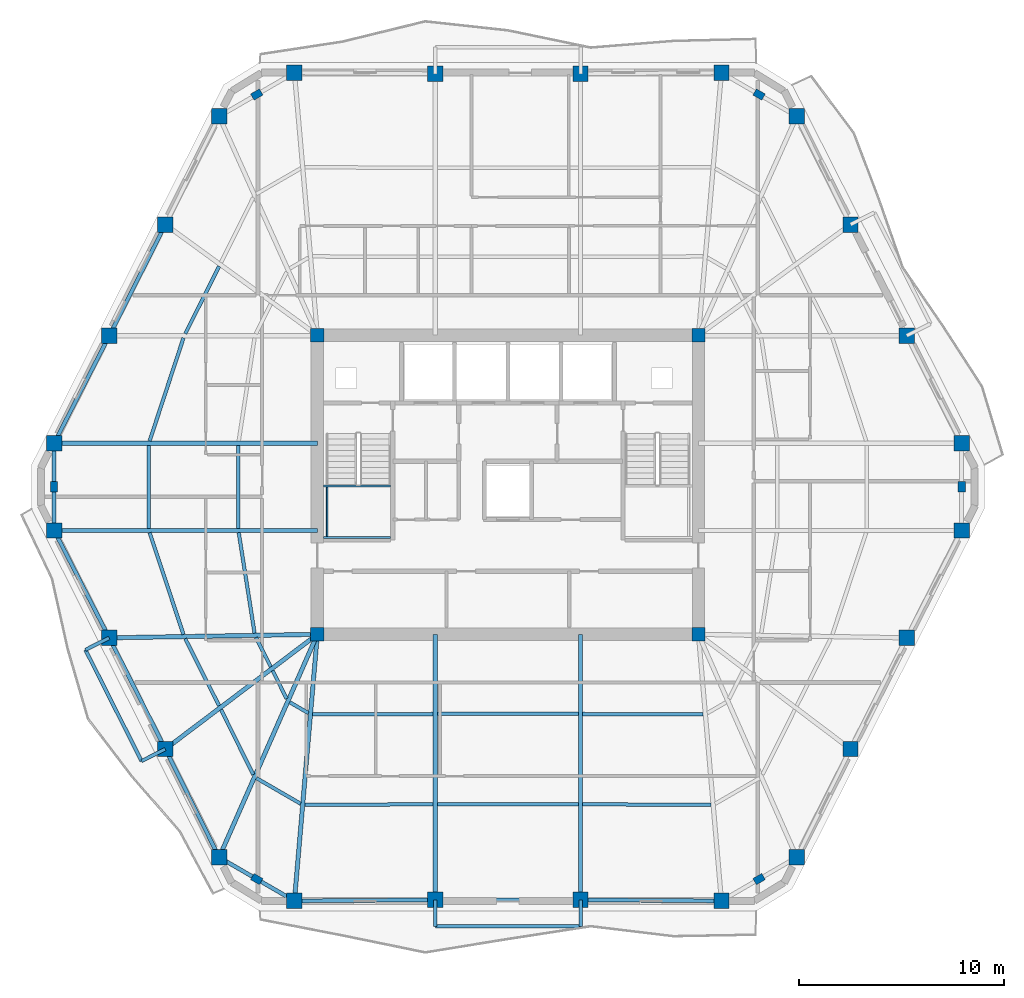
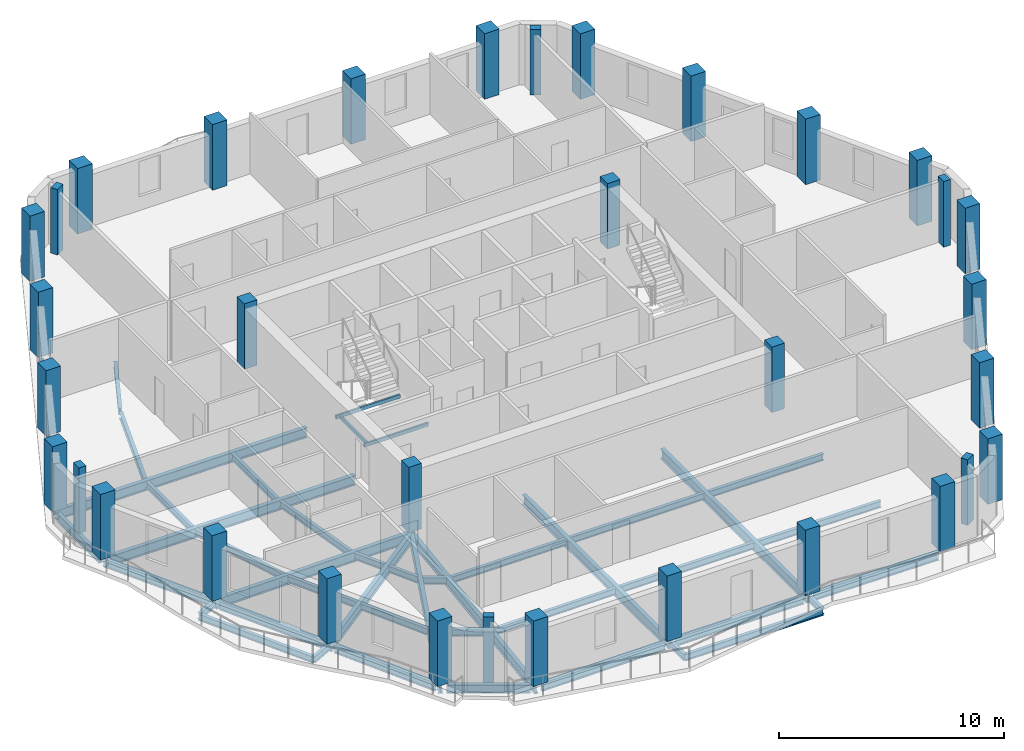
# One storey, part 1 of 10: 45 beams, 34 columns.
"""IFC4 building model written with IfcOpenShell, lengths in metres."""

from ifc_helpers import new_model, si_unit, direction, frame, origin, origin_2d, place, context, subcontext, project, spatial, rectangle, hollow_rectangle, i_section, extrude, material, material_profile, profile_set, type_object, element, save


model = new_model("IFC4")

# Units and contexts
model_context = context("Model", 3, precision=1e-05, world=origin(), true_north=direction((0.0, 1.0)))
body_context = subcontext(model_context, "Body", "Model", "MODEL_VIEW")
ifc_project = project(units=[si_unit("LENGTHUNIT", "METRE"), si_unit("AREAUNIT", "SQUARE_METRE"), si_unit("VOLUMEUNIT", "CUBIC_METRE"), si_unit("PLANEANGLEUNIT", "RADIAN"), si_unit("MASSUNIT", "GRAM", prefix="KILO")], contexts=[model_context])

# Site, building, storey
site_placement = place(None, origin())
site = spatial("IfcSite", under=ifc_project, at=site_placement, CompositionType="ELEMENT")
building_placement = place(site_placement, origin())
building = spatial("IfcBuilding", under=site, at=building_placement, Name="Cinnabar Lancet Tower", CompositionType="ELEMENT")
storey_placement = place(building_placement, frame((0.0, 0.0, 218.050048828125)))
storey = spatial("IfcBuildingStorey", under=building, at=storey_placement, Name="L58", CompositionType="ELEMENT", Elevation=218.050048828125)

# Columns
ifc_material_1 = material(Name="Concrete C60/75", Category="concrete")
ifc_material_profile_1 = material_profile(ifc_material_1, rectangle(XDim=0.64990234375, YDim=0.64990234375, at=origin_2d()), Name="RC-COL 650x650")
ifc_profile_set_1 = profile_set([ifc_material_profile_1], Name="Concrete C60/75")
column_type_1 = type_object("IfcColumnType", Name="STR-COL-CORE-650", PredefinedType="COLUMN", material=ifc_profile_set_1)
for number, where, z_axis, x_axis, name in (
    (1, (23.10009765625, 18.60009765625, 0.0), (0.0, 0.0, 1.0), (1.0, 0.0, 0.0), "L58 Core Corner Column SW"),
    (2, (41.699951171875, 18.60009765625, 0.0), (0.0, 0.0, 1.0), (1.0, 0.0, 0.0), "L58 Core Corner Column SE"),
    (3, (41.699951171875, 33.199951171875, 0.0), (0.0, 0.0, 1.0), (1.0, 0.0, 0.0), "L58 Core Corner Column NE"),
    (4, (23.10009765625, 33.199951171875, 0.0), (0.0, 0.0, 1.0), (1.0, 0.0, 0.0), "L58 Core Corner Column NW"),
):
    element("IfcColumn", number, at=place(storey_placement, frame(where, z_axis=z_axis, x_axis=x_axis)), inside=storey, type_object=column_type_1, Name=name, PredefinedType="COLUMN", context=body_context, shape_type="SweptSolid", body=[
        extrude(rectangle(XDim=0.64990234375, YDim=0.64990234375, at=origin_2d()), origin(), (0.0, 0.0, 1.0), 3.550048828125),
    ])
ifc_material_2 = material(Name="Concrete C60/75", Category="concrete")
ifc_material_profile_2 = material_profile(ifc_material_2, rectangle(XDim=0.5, YDim=0.35009765625, at=origin_2d()), Name="RC-PIL 500x350")
ifc_profile_set_2 = profile_set([ifc_material_profile_2], Name="Concrete C60/75")
column_type_2 = type_object("IfcColumnType", Name="STR-COL-PIL-500", PredefinedType="PILASTER", material=ifc_profile_set_2)
for number, where, z_axis, x_axis, name in (
    (5, (20.14208984375, 6.654052734375, 0.0), (0.0, 0.0, 1.0), (0.865230187018, -0.501374833306, 0.0), "L58 Chamfered Corner Pilaster 1"),
    (6, (44.657958984375, 6.654052734375, 0.0), (0.0, 0.0, 1.0), (0.865230187018, 0.501374833306, 0.0), "L58 Chamfered Corner Pilaster 2"),
    (7, (54.547119140625, 25.800048828125, 0.0), (0.0, 0.0, 1.0), (0.0, 1.0, 0.0), "L58 Chamfered Corner Pilaster 3"),
    (8, (44.657958984375, 44.947021484375, 0.0), (0.0, 0.0, 1.0), (-0.865230187018, 0.501374833306, 0.0), "L58 Chamfered Corner Pilaster 4"),
    (9, (20.14208984375, 44.947021484375, 0.0), (0.0, 0.0, 1.0), (-0.865230187018, -0.501374833306, 0.0), "L58 Chamfered Corner Pilaster 5"),
    (10, (10.2529296875, 25.800048828125, 0.0), (0.0, 0.0, 1.0), (0.0, -1.0, 0.0), "L58 Chamfered Corner Pilaster 6"),
):
    element("IfcColumn", number, at=place(storey_placement, frame(where, z_axis=z_axis, x_axis=x_axis)), inside=storey, type_object=column_type_2, Name=name, PredefinedType="PILASTER", context=body_context, shape_type="SweptSolid", body=[
        extrude(rectangle(XDim=0.5, YDim=0.35009765625, at=origin_2d()), origin(), (0.0, 0.0, 1.0), 3.550048828125),
    ])
ifc_material_3 = material(Name="Concrete C50/60", Category="concrete")
ifc_material_profile_3 = material_profile(ifc_material_3, rectangle(XDim=0.75, YDim=0.75, at=origin_2d()), Name="RC-COL 750x750")
ifc_profile_set_3 = profile_set([ifc_material_profile_3], Name="Concrete C50/60")
column_type_3 = type_object("IfcColumnType", Name="STR-COL-TUBE-750", PredefinedType="COLUMN", material=ifc_profile_set_3)
for number, where, z_axis, x_axis, name in (
    (11, (21.97900390625, 5.589111328125, 0.0), (0.0, 0.0, 1.0), (1.0, 0.0, 0.0), "L58 Perimeter Tube Column 1"),
    (12, (28.85693359375, 5.64208984375, 0.0), (0.0, 0.0, 1.0), (1.0, 0.0, 0.0), "L58 Perimeter Tube Column 2"),
    (13, (35.943115234375, 5.64208984375, 0.0), (0.0, 0.0, 1.0), (1.0, 0.0, 0.0), "L58 Perimeter Tube Column 3"),
    (14, (42.821044921875, 5.589111328125, 0.0), (0.0, 0.0, 1.0), (1.0, 0.0, 0.0), "L58 Perimeter Tube Column 4"),
    (15, (46.4951171875, 7.718017578125, 0.0), (0.0, 0.0, 1.0), (1.0, 0.0, 0.0), "L58 Perimeter Tube Column 5"),
    (16, (49.118896484375, 13.0009765625, 0.0), (0.0, 0.0, 1.0), (1.0, 0.0, 0.0), "L58 Perimeter Tube Column 6"),
    (17, (51.85791015625, 18.428955078125, 0.0), (0.0, 0.0, 1.0), (1.0, 0.0, 0.0), "L58 Perimeter Tube Column 7"),
    (18, (54.547119140625, 23.66796875, 0.0), (0.0, 0.0, 1.0), (1.0, 0.0, 0.0), "L58 Perimeter Tube Column 8"),
    (19, (54.547119140625, 27.931884765625, 0.0), (0.0, 0.0, 1.0), (1.0, 0.0, 0.0), "L58 Perimeter Tube Column 9"),
    (20, (51.85791015625, 33.1708984375, 0.0), (0.0, 0.0, 1.0), (1.0, 0.0, 0.0), "L58 Perimeter Tube Column 10"),
    (21, (49.118896484375, 38.59912109375, 0.0), (0.0, 0.0, 1.0), (1.0, 0.0, 0.0), "L58 Perimeter Tube Column 11"),
    (22, (46.4951171875, 43.882080078125, 0.0), (0.0, 0.0, 1.0), (1.0, 0.0, 0.0), "L58 Perimeter Tube Column 12"),
    (23, (42.821044921875, 46.010986328125, 0.0), (0.0, 0.0, 1.0), (1.0, 0.0, 0.0), "L58 Perimeter Tube Column 13"),
    (24, (35.943115234375, 45.9580078125, 0.0), (0.0, 0.0, 1.0), (1.0, 0.0, 0.0), "L58 Perimeter Tube Column 14"),
    (25, (28.85693359375, 45.9580078125, 0.0), (0.0, 0.0, 1.0), (1.0, 0.0, 0.0), "L58 Perimeter Tube Column 15"),
    (26, (21.97900390625, 46.010986328125, 0.0), (0.0, 0.0, 1.0), (1.0, 0.0, 0.0), "L58 Perimeter Tube Column 16"),
    (27, (18.304931640625, 43.882080078125, 0.0), (0.0, 0.0, 1.0), (1.0, 0.0, 0.0), "L58 Perimeter Tube Column 17"),
    (28, (15.680908203125, 38.59912109375, 0.0), (0.0, 0.0, 1.0), (1.0, 0.0, 0.0), "L58 Perimeter Tube Column 18"),
    (29, (12.94189453125, 33.1708984375, 0.0), (0.0, 0.0, 1.0), (1.0, 0.0, 0.0), "L58 Perimeter Tube Column 19"),
    (30, (10.2529296875, 27.931884765625, 0.0), (0.0, 0.0, 1.0), (1.0, 0.0, 0.0), "L58 Perimeter Tube Column 20"),
    (31, (10.2529296875, 23.66796875, 0.0), (0.0, 0.0, 1.0), (1.0, 0.0, 0.0), "L58 Perimeter Tube Column 21"),
    (32, (12.94189453125, 18.428955078125, 0.0), (0.0, 0.0, 1.0), (1.0, 0.0, 0.0), "L58 Perimeter Tube Column 22"),
    (33, (15.680908203125, 13.0009765625, 0.0), (0.0, 0.0, 1.0), (1.0, 0.0, 0.0), "L58 Perimeter Tube Column 23"),
    (34, (18.304931640625, 7.718017578125, 0.0), (0.0, 0.0, 1.0), (1.0, 0.0, 0.0), "L58 Perimeter Tube Column 24"),
):
    element("IfcColumn", number, at=place(storey_placement, frame(where, z_axis=z_axis, x_axis=x_axis)), inside=storey, type_object=column_type_3, Name=name, PredefinedType="COLUMN", context=body_context, shape_type="SweptSolid", body=[
        extrude(rectangle(XDim=0.75, YDim=0.75, at=origin_2d()), origin(), (0.0, 0.0, 1.0), 3.550048828125),
    ])

# Beams
ifc_material_4 = material(Name="Structural steel S355", Category="steel")
ifc_material_profile_4 = material_profile(ifc_material_4, i_section(OverallWidth=0.17138671875, OverallDepth=0.35498046875, WebThickness=0.00732421875, FlangeThickness=0.011474609375, FilletRadius=0.01025390625, at=origin_2d()), Name="UKB 356x171x51")
ifc_profile_set_4 = profile_set([ifc_material_profile_4], Name="Structural steel S355")
beam_type_1 = type_object("IfcBeamType", Name="STR-BM-JST-356", PredefinedType="JOIST", material=ifc_profile_set_4)
beam_1_placement = place(storey_placement, frame((14.9130859375, 23.56298828125, -0.3779296875), z_axis=(0.315346227037, -0.948976689436, 0.0), x_axis=(0.948976689436, 0.315346227037, 0.0)))
element("IfcBeam", 35, at=beam_1_placement, inside=storey, type_object=beam_type_1, Name="L58 Secondary Floor Joist 1", PredefinedType="JOIST", context=body_context, shape_type="SweptSolid", body=[
    extrude(i_section(OverallWidth=0.17138671875, OverallDepth=0.35498046875, WebThickness=0.00732421875, FlangeThickness=0.011474609375, FilletRadius=0.01025390625, at=origin_2d()), origin(), (0.0, 0.0, 1.0), 5.235107421875),
])
beam_2_placement = place(storey_placement, frame((19.261962890625, 23.56298828125, -0.3779296875), z_axis=(0.155702775827, -0.987803950994, 0.0), x_axis=(0.987803950994, 0.155702775827, 0.0)))
element("IfcBeam", 36, at=beam_2_placement, inside=storey, type_object=beam_type_1, Name="L58 Secondary Floor Joist 2", PredefinedType="JOIST", context=body_context, shape_type="SweptSolid", body=[
    extrude(i_section(OverallWidth=0.17138671875, OverallDepth=0.35498046875, WebThickness=0.00732421875, FlangeThickness=0.011474609375, FilletRadius=0.01025390625, at=origin_2d()), origin(), (0.0, 0.0, 1.0), 4.970458984375),
])
beam_3_placement = place(storey_placement, frame((16.65087890625, 18.386962890625, -0.3779296875), z_axis=(0.45061776862, -0.892716991327, 0.0), x_axis=(0.892716991327, 0.45061776862, 0.0)))
element("IfcBeam", 37, at=beam_3_placement, inside=storey, type_object=beam_type_1, Name="L58 Secondary Floor Joist 3", PredefinedType="JOIST", context=body_context, shape_type="SweptSolid", body=[
    extrude(i_section(OverallWidth=0.17138671875, OverallDepth=0.35498046875, WebThickness=0.00732421875, FlangeThickness=0.011474609375, FilletRadius=0.01025390625, at=origin_2d()), origin(), (0.0, 0.0, 1.0), 3.66845703125),
])
beam_4_placement = place(storey_placement, frame((20.10498046875, 18.445068359375, -0.3779296875), z_axis=(0.450137936259, -0.892959035085, 0.0), x_axis=(0.892959035085, 0.450137936259, 0.0)))
element("IfcBeam", 38, at=beam_4_placement, inside=storey, type_object=beam_type_1, Name="L58 Secondary Floor Joist 4", PredefinedType="JOIST", context=body_context, shape_type="SweptSolid", body=[
    extrude(i_section(OverallWidth=0.17138671875, OverallDepth=0.35498046875, WebThickness=0.00732421875, FlangeThickness=0.011474609375, FilletRadius=0.01025390625, at=origin_2d()), origin(), (0.0, 0.0, 1.0), 1.6015625),
])
beam_5_placement = place(storey_placement, frame((18.39892578125, 14.9208984375, -0.3779296875), z_axis=(0.445083338565, -0.895489152214, 0.0), x_axis=(0.895489152214, 0.445083338565, 0.0)))
element("IfcBeam", 39, at=beam_5_placement, inside=storey, type_object=beam_type_1, Name="L58 Secondary Floor Joist 5", PredefinedType="JOIST", context=body_context, shape_type="SweptSolid", body=[
    extrude(i_section(OverallWidth=0.17138671875, OverallDepth=0.35498046875, WebThickness=0.00732421875, FlangeThickness=0.011474609375, FilletRadius=0.01025390625, at=origin_2d()), origin(), (0.0, 0.0, 1.0), 3.531982421875),
])
beam_6_placement = place(storey_placement, frame((20.922119140625, 16.824951171875, -0.3779296875), z_axis=(0.444589856968, -0.895734256954, 0.0), x_axis=(0.895734256954, 0.444589856968, 0.0)))
element("IfcBeam", 40, at=beam_6_placement, inside=storey, type_object=beam_type_1, Name="L58 Secondary Floor Joist 6", PredefinedType="JOIST", context=body_context, shape_type="SweptSolid", body=[
    extrude(i_section(OverallWidth=0.17138671875, OverallDepth=0.35498046875, WebThickness=0.00732421875, FlangeThickness=0.011474609375, FilletRadius=0.01025390625, at=origin_2d()), origin(), (0.0, 0.0, 1.0), 1.527099609375),
])
beam_7_placement = place(storey_placement, frame((20.1220703125, 11.5830078125, -0.3779296875), z_axis=(0.865267839663, -0.501309849937, 0.0), x_axis=(0.501309849937, 0.865267839663, 0.0)))
element("IfcBeam", 41, at=beam_7_placement, inside=storey, type_object=beam_type_1, Name="L58 Secondary Floor Joist 7", PredefinedType="JOIST", context=body_context, shape_type="SweptSolid", body=[
    extrude(i_section(OverallWidth=0.17138671875, OverallDepth=0.35498046875, WebThickness=0.00732421875, FlangeThickness=0.011474609375, FilletRadius=0.01025390625, at=origin_2d()), origin(), (0.0, 0.0, 1.0), 2.497314453125),
])
beam_8_placement = place(storey_placement, frame((21.7529296875, 15.282958984375, -0.3779296875), z_axis=(0.8651881055, -0.501447446998, 0.0), x_axis=(0.501447446998, 0.8651881055, 0.0)))
element("IfcBeam", 42, at=beam_8_placement, inside=storey, type_object=beam_type_1, Name="L58 Secondary Floor Joist 8", PredefinedType="JOIST", context=body_context, shape_type="SweptSolid", body=[
    extrude(i_section(OverallWidth=0.17138671875, OverallDepth=0.35498046875, WebThickness=0.00732421875, FlangeThickness=0.011474609375, FilletRadius=0.01025390625, at=origin_2d()), origin(), (0.0, 0.0, 1.0), 1.05322265625),
])
beam_9_placement = place(storey_placement, frame((22.488037109375, 10.27392578125, -0.3779296875), z_axis=(0.999986965561, 0.005105752523, 0.0), x_axis=(-0.005105752523, 0.999986965561, 0.0)))
element("IfcBeam", 43, at=beam_9_placement, inside=storey, type_object=beam_type_1, Name="L58 Secondary Floor Joist 9", PredefinedType="JOIST", context=body_context, shape_type="SweptSolid", body=[
    extrude(i_section(OverallWidth=0.17138671875, OverallDepth=0.35498046875, WebThickness=0.00732421875, FlangeThickness=0.011474609375, FilletRadius=0.01025390625, at=origin_2d()), origin(), (0.0, 0.0, 1.0), 6.263916015625),
])
beam_10_placement = place(storey_placement, frame((22.868896484375, 14.697021484375, -0.3779296875), z_axis=(0.999996795933, 0.002531427338, 0.0), x_axis=(-0.002531427338, 0.999996795933, 0.0)))
element("IfcBeam", 44, at=beam_10_placement, inside=storey, type_object=beam_type_1, Name="L58 Secondary Floor Joist 10", PredefinedType="JOIST", context=body_context, shape_type="SweptSolid", body=[
    extrude(i_section(OverallWidth=0.17138671875, OverallDepth=0.35498046875, WebThickness=0.00732421875, FlangeThickness=0.011474609375, FilletRadius=0.01025390625, at=origin_2d()), origin(), (0.0, 0.0, 1.0), 5.883056640625),
])
for number, where, z_axis, x_axis, name in (
    (45, (28.9619140625, 10.306884765625, -0.3779296875), (1.0, 0.0, 0.0), (0.0, 1.0, 0.0), "L58 Secondary Floor Joist 11"),
    (46, (28.9619140625, 14.712890625, -0.3779296875), (1.0, 0.0, 0.0), (0.0, 1.0, 0.0), "L58 Secondary Floor Joist 12"),
):
    element("IfcBeam", number, at=place(storey_placement, frame(where, z_axis=z_axis, x_axis=x_axis)), inside=storey, type_object=beam_type_1, Name=name, PredefinedType="JOIST", context=body_context, shape_type="SweptSolid", body=[
        extrude(i_section(OverallWidth=0.17138671875, OverallDepth=0.35498046875, WebThickness=0.00732421875, FlangeThickness=0.011474609375, FilletRadius=0.01025390625, at=origin_2d()), origin(), (0.0, 0.0, 1.0), 6.8759765625),
    ])
beam_11_placement = place(storey_placement, frame((36.048095703125, 10.305908203125, -0.3779296875), z_axis=(0.999986965561, -0.005105752523, 0.0), x_axis=(0.005105752523, 0.999986965561, 0.0)))
element("IfcBeam", 47, at=beam_11_placement, inside=storey, type_object=beam_type_1, Name="L58 Secondary Floor Joist 13", PredefinedType="JOIST", context=body_context, shape_type="SweptSolid", body=[
    extrude(i_section(OverallWidth=0.17138671875, OverallDepth=0.35498046875, WebThickness=0.00732421875, FlangeThickness=0.011474609375, FilletRadius=0.01025390625, at=origin_2d()), origin(), (0.0, 0.0, 1.0), 6.263916015625),
])
beam_12_placement = place(storey_placement, frame((36.048095703125, 14.7119140625, -0.3779296875), z_axis=(0.999996795667, -0.002531532393, 0.0), x_axis=(0.002531532393, 0.999996795667, 0.0)))
element("IfcBeam", 48, at=beam_12_placement, inside=storey, type_object=beam_type_1, Name="L58 Secondary Floor Joist 14", PredefinedType="JOIST", context=body_context, shape_type="SweptSolid", body=[
    extrude(i_section(OverallWidth=0.17138671875, OverallDepth=0.35498046875, WebThickness=0.00732421875, FlangeThickness=0.011474609375, FilletRadius=0.01025390625, at=origin_2d()), origin(), (0.0, 0.0, 1.0), 5.8828125),
])
beam_13_placement = place(storey_placement, frame((18.303955078125, 36.56103515625, -0.3779296875), z_axis=(-0.449230875134, -0.893415704376, 0.0), x_axis=(0.893415704376, -0.449230875134, 0.0)))
element("IfcBeam", 49, at=beam_13_placement, inside=storey, type_object=beam_type_1, Name="L58 Secondary Floor Joist 43", PredefinedType="JOIST", context=body_context, shape_type="SweptSolid", body=[
    extrude(i_section(OverallWidth=0.17138671875, OverallDepth=0.35498046875, WebThickness=0.00732421875, FlangeThickness=0.011474609375, FilletRadius=0.01025390625, at=origin_2d()), origin(), (0.0, 0.0, 1.0), 3.677001953125),
])
beam_14_placement = place(storey_placement, frame((16.56494140625, 33.06591796875, -0.3779296875), z_axis=(-0.312240109925, -0.95000321776, 0.0), x_axis=(0.95000321776, -0.312240109925, 0.0)))
element("IfcBeam", 50, at=beam_14_placement, inside=storey, type_object=beam_type_1, Name="L58 Secondary Floor Joist 45", PredefinedType="JOIST", context=body_context, shape_type="SweptSolid", body=[
    extrude(i_section(OverallWidth=0.17138671875, OverallDepth=0.35498046875, WebThickness=0.00732421875, FlangeThickness=0.011474609375, FilletRadius=0.01025390625, at=origin_2d()), origin(), (0.0, 0.0, 1.0), 5.29345703125),
])
for number, where, z_axis, x_axis, name in (
    (51, (14.8779296875, 27.826904296875, -0.3779296875), (0.0, -1.0, 0.0), (1.0, 0.0, 0.0), "L58 Secondary Floor Joist 47"),
    (52, (19.24609375, 27.826904296875, -0.3779296875), (0.0, -1.0, 0.0), (1.0, 0.0, 0.0), "L58 Secondary Floor Joist 48"),
):
    element("IfcBeam", number, at=place(storey_placement, frame(where, z_axis=z_axis, x_axis=x_axis)), inside=storey, type_object=beam_type_1, Name=name, PredefinedType="JOIST", context=body_context, shape_type="SweptSolid", body=[
        extrude(i_section(OverallWidth=0.17138671875, OverallDepth=0.35498046875, WebThickness=0.00732421875, FlangeThickness=0.011474609375, FilletRadius=0.01025390625, at=origin_2d()), origin(), (0.0, 0.0, 1.0), 4.053955078125),
    ])
ifc_material_5 = material(Name="Structural steel S355", Category="steel")
ifc_material_profile_5 = material_profile(ifc_material_5, hollow_rectangle(XDim=0.10009765625, YDim=0.199951171875, WallThickness=0.008056640625, InnerFilletRadius=0.00390625, OuterFilletRadius=0.011962890625, at=origin_2d()), Name="RHS 200x100x8")
ifc_profile_set_5 = profile_set([ifc_material_profile_5], Name="Structural steel S355")
beam_type_2 = type_object("IfcBeamType", Name="STR-BM-LND-203", PredefinedType="BEAM", material=ifc_profile_set_5)
for number, where, z_axis, x_axis, name in (
    (53, (23.39990234375, 23.330078125, 1.474853515625), (1.0, 0.0, 0.0), (0.0, 1.0, 0.0), "L58 ST-1-L58 Landing Support Beam S"),
    (54, (23.39990234375, 25.844970703125, 1.474853515625), (1.0, 0.0, 0.0), (0.0, 1.0, 0.0), "L58 ST-1-L58 Landing Support Beam N"),
):
    element("IfcBeam", number, at=place(storey_placement, frame(where, z_axis=z_axis, x_axis=x_axis)), inside=storey, type_object=beam_type_2, Name=name, PredefinedType="BEAM", context=body_context, shape_type="SweptSolid", body=[
        extrude(hollow_rectangle(XDim=0.10009765625, YDim=0.199951171875, WallThickness=0.008056640625, InnerFilletRadius=0.00390625, OuterFilletRadius=0.011962890625, at=origin_2d()), origin(), (0.0, 0.0, 1.0), 3.280029296875),
    ])
beam_15_placement = place(storey_placement, frame((23.580078125, 23.3798828125, 1.474853515625), z_axis=(0.0, 1.0, 0.0), x_axis=(-1.0, 0.0, 0.0)))
element("IfcBeam", 55, at=beam_15_placement, inside=storey, type_object=beam_type_2, Name="L58 ST-1-L58 Landing Side Trimmer Beam", PredefinedType="BEAM", context=body_context, shape_type="SweptSolid", body=[
    extrude(hollow_rectangle(XDim=0.10009765625, YDim=0.199951171875, WallThickness=0.008056640625, InnerFilletRadius=0.00390625, OuterFilletRadius=0.011962890625, at=origin_2d()), origin(), (0.0, 0.0, 1.0), 2.4150390625),
])
ifc_material_6 = material(Name="Structural steel S355", Category="steel")
ifc_material_profile_6 = material_profile(ifc_material_6, i_section(OverallWidth=0.1904296875, OverallDepth=0.45703125, WebThickness=0.009033203125, FlangeThickness=0.014404296875, FilletRadius=0.01025390625, at=origin_2d()), Name="UKB 457x191x74")
ifc_profile_set_6 = profile_set([ifc_material_profile_6], Name="Structural steel S355")
beam_type_3 = type_object("IfcBeamType", Name="STR-BM-SPN-457", PredefinedType="SPANDREL", material=ifc_profile_set_6)
beam_16_placement = place(storey_placement, frame((22.22900390625, 5.591064453125, -0.428955078125), z_axis=(0.999970695686, 0.007655571089, 0.0), x_axis=(-0.007655571089, 0.999970695686, 0.0)))
element("IfcBeam", 56, at=beam_16_placement, inside=storey, type_object=beam_type_3, Name="L58 Perimeter Spandrel 1", PredefinedType="SPANDREL", context=body_context, shape_type="SweptSolid", body=[
    extrude(i_section(OverallWidth=0.1904296875, OverallDepth=0.45703125, WebThickness=0.009033203125, FlangeThickness=0.014404296875, FilletRadius=0.01025390625, at=origin_2d()), origin(), (0.0, 0.0, 1.0), 6.378173828125),
])
beam_17_placement = place(storey_placement, frame((29.10693359375, 5.64208984375, -0.428955078125), z_axis=(1.0, 0.0, 0.0), x_axis=(0.0, 1.0, 0.0)))
element("IfcBeam", 57, at=beam_17_placement, inside=storey, type_object=beam_type_3, Name="L58 Perimeter Spandrel 2", PredefinedType="SPANDREL", context=body_context, shape_type="SweptSolid", body=[
    extrude(i_section(OverallWidth=0.1904296875, OverallDepth=0.45703125, WebThickness=0.009033203125, FlangeThickness=0.014404296875, FilletRadius=0.01025390625, at=origin_2d()), origin(), (0.0, 0.0, 1.0), 6.586181640625),
])
beam_18_placement = place(storey_placement, frame((36.193115234375, 5.639892578125, -0.428955078125), z_axis=(0.999970695686, -0.007655571089, 0.0), x_axis=(0.007655571089, 0.999970695686, 0.0)))
element("IfcBeam", 58, at=beam_18_placement, inside=storey, type_object=beam_type_3, Name="L58 Perimeter Spandrel 3", PredefinedType="SPANDREL", context=body_context, shape_type="SweptSolid", body=[
    extrude(i_section(OverallWidth=0.1904296875, OverallDepth=0.45703125, WebThickness=0.009033203125, FlangeThickness=0.014404296875, FilletRadius=0.01025390625, at=origin_2d()), origin(), (0.0, 0.0, 1.0), 6.378173828125),
])
beam_19_placement = place(storey_placement, frame((15.568115234375, 38.3759765625, -0.428955078125), z_axis=(-0.450395996562, -0.892828900899, 0.0), x_axis=(0.892828900899, -0.450395996562, 0.0)))
element("IfcBeam", 59, at=beam_19_placement, inside=storey, type_object=beam_type_3, Name="L58 Perimeter Spandrel 18", PredefinedType="SPANDREL", context=body_context, shape_type="SweptSolid", body=[
    extrude(i_section(OverallWidth=0.1904296875, OverallDepth=0.45703125, WebThickness=0.009033203125, FlangeThickness=0.014404296875, FilletRadius=0.01025390625, at=origin_2d()), origin(), (0.0, 0.0, 1.0), 5.579833984375),
])
beam_20_placement = place(storey_placement, frame((12.827880859375, 32.948974609375, -0.428955078125), z_axis=(-0.456610910924, -0.889666497079, 0.0), x_axis=(0.889666497079, -0.456610910924, 0.0)))
element("IfcBeam", 60, at=beam_20_placement, inside=storey, type_object=beam_type_3, Name="L58 Perimeter Spandrel 19", PredefinedType="SPANDREL", context=body_context, shape_type="SweptSolid", body=[
    extrude(i_section(OverallWidth=0.1904296875, OverallDepth=0.45703125, WebThickness=0.009033203125, FlangeThickness=0.014404296875, FilletRadius=0.01025390625, at=origin_2d()), origin(), (0.0, 0.0, 1.0), 5.3896484375),
])
beam_21_placement = place(storey_placement, frame((10.2529296875, 27.681884765625, -0.428955078125), z_axis=(0.0, -1.0, 0.0), x_axis=(1.0, 0.0, 0.0)))
element("IfcBeam", 61, at=beam_21_placement, inside=storey, type_object=beam_type_3, Name="L58 Perimeter Spandrel 20", PredefinedType="SPANDREL", context=body_context, shape_type="SweptSolid", body=[
    extrude(i_section(OverallWidth=0.1904296875, OverallDepth=0.45703125, WebThickness=0.009033203125, FlangeThickness=0.014404296875, FilletRadius=0.01025390625, at=origin_2d()), origin(), (0.0, 0.0, 1.0), 3.763916015625),
])
beam_22_placement = place(storey_placement, frame((10.366943359375, 23.446044921875, -0.428955078125), z_axis=(0.456592509812, -0.889675940994, 0.0), x_axis=(0.889675940994, 0.456592509812, 0.0)))
element("IfcBeam", 62, at=beam_22_placement, inside=storey, type_object=beam_type_3, Name="L58 Perimeter Spandrel 21", PredefinedType="SPANDREL", context=body_context, shape_type="SweptSolid", body=[
    extrude(i_section(OverallWidth=0.1904296875, OverallDepth=0.45703125, WebThickness=0.009033203125, FlangeThickness=0.014404296875, FilletRadius=0.01025390625, at=origin_2d()), origin(), (0.0, 0.0, 1.0), 5.389892578125),
])
beam_23_placement = place(storey_placement, frame((13.054931640625, 18.2060546875, -0.428955078125), z_axis=(0.450395996562, -0.892828900899, 0.0), x_axis=(0.892828900899, 0.450395996562, 0.0)))
element("IfcBeam", 63, at=beam_23_placement, inside=storey, type_object=beam_type_3, Name="L58 Perimeter Spandrel 22", PredefinedType="SPANDREL", context=body_context, shape_type="SweptSolid", body=[
    extrude(i_section(OverallWidth=0.1904296875, OverallDepth=0.45703125, WebThickness=0.009033203125, FlangeThickness=0.014404296875, FilletRadius=0.01025390625, at=origin_2d()), origin(), (0.0, 0.0, 1.0), 5.579833984375),
])
beam_24_placement = place(storey_placement, frame((15.7919921875, 12.777099609375, -0.428955078125), z_axis=(0.444914968367, -0.895572817208, 0.0), x_axis=(0.895572817208, 0.444914968367, 0.0)))
element("IfcBeam", 64, at=beam_24_placement, inside=storey, type_object=beam_type_3, Name="L58 Perimeter Spandrel 23", PredefinedType="SPANDREL", context=body_context, shape_type="SweptSolid", body=[
    extrude(i_section(OverallWidth=0.1904296875, OverallDepth=0.45703125, WebThickness=0.009033203125, FlangeThickness=0.014404296875, FilletRadius=0.01025390625, at=origin_2d()), origin(), (0.0, 0.0, 1.0), 5.39892578125),
])
beam_25_placement = place(storey_placement, frame((18.52099609375, 7.593017578125, -0.428955078125), z_axis=(0.865195717586, -0.501434313016, 0.0), x_axis=(0.501434313016, 0.865195717586, 0.0)))
element("IfcBeam", 65, at=beam_25_placement, inside=storey, type_object=beam_type_3, Name="L58 Perimeter Spandrel 24", PredefinedType="SPANDREL", context=body_context, shape_type="SweptSolid", body=[
    extrude(i_section(OverallWidth=0.1904296875, OverallDepth=0.45703125, WebThickness=0.009033203125, FlangeThickness=0.014404296875, FilletRadius=0.01025390625, at=origin_2d()), origin(), (0.0, 0.0, 1.0), 3.7470703125),
])
ifc_material_7 = material(Name="Structural steel S355", Category="steel")
ifc_material_profile_7 = material_profile(ifc_material_7, i_section(OverallWidth=0.209228515625, OverallDepth=0.533203125, WebThickness=0.010009765625, FlangeThickness=0.015625, FilletRadius=0.0126953125, at=origin_2d()), Name="UKB 533x210x92")
ifc_profile_set_7 = profile_set([ifc_material_profile_7], Name="Structural steel S355")
beam_type_4 = type_object("IfcBeamType", Name="STR-BM-UKB533-92", PredefinedType="BEAM", material=ifc_profile_set_7)
beam_26_placement = place(storey_placement, frame((15.680908203125, 13.0009765625, -0.467041015625), z_axis=(0.798202971293, 0.602388592703, 0.0), x_axis=(-0.602388592703, 0.798202971293, 0.0)))
element("IfcBeam", 66, at=beam_26_placement, inside=storey, type_object=beam_type_4, Name="L58 Corner Collector Girder 1", PredefinedType="BEAM", context=body_context, shape_type="SweptSolid", body=[
    extrude(i_section(OverallWidth=0.209228515625, OverallDepth=0.533203125, WebThickness=0.010009765625, FlangeThickness=0.015625, FilletRadius=0.0126953125, at=origin_2d()), origin(), (0.0, 0.0, 1.0), 9.294921875),
])
beam_27_placement = place(storey_placement, frame((21.97900390625, 5.589111328125, -0.467041015625), z_axis=(0.085847068729, 0.996308326167, 0.0), x_axis=(-0.996308326167, 0.085847068729, 0.0)))
element("IfcBeam", 67, at=beam_27_placement, inside=storey, type_object=beam_type_4, Name="L58 Primary Floor Girder 1", PredefinedType="BEAM", context=body_context, shape_type="SweptSolid", body=[
    extrude(i_section(OverallWidth=0.209228515625, OverallDepth=0.533203125, WebThickness=0.010009765625, FlangeThickness=0.015625, FilletRadius=0.0126953125, at=origin_2d()), origin(), (0.0, 0.0, 1.0), 13.05908203125),
])
for number, where, z_axis, x_axis, name in (
    (68, (28.85693359375, 5.64208984375, -0.467041015625), (0.0, 1.0, 0.0), (-1.0, 0.0, 0.0), "L58 Primary Floor Girder 2"),
    (69, (35.943115234375, 5.64208984375, -0.467041015625), (0.0, 1.0, 0.0), (-1.0, 0.0, 0.0), "L58 Primary Floor Girder 3"),
):
    element("IfcBeam", number, at=place(storey_placement, frame(where, z_axis=z_axis, x_axis=x_axis)), inside=storey, type_object=beam_type_4, Name=name, PredefinedType="BEAM", context=body_context, shape_type="SweptSolid", body=[
        extrude(i_section(OverallWidth=0.209228515625, OverallDepth=0.533203125, WebThickness=0.010009765625, FlangeThickness=0.015625, FilletRadius=0.0126953125, at=origin_2d()), origin(), (0.0, 0.0, 1.0), 12.9580078125),
    ])
for number, where, z_axis, x_axis, name in (
    (70, (10.2529296875, 27.931884765625, -0.467041015625), (1.0, 0.0, 0.0), (0.0, 1.0, 0.0), "L58 Primary Floor Girder 20"),
    (71, (10.2529296875, 23.66796875, -0.467041015625), (1.0, 0.0, 0.0), (0.0, 1.0, 0.0), "L58 Primary Floor Girder 21"),
):
    element("IfcBeam", number, at=place(storey_placement, frame(where, z_axis=z_axis, x_axis=x_axis)), inside=storey, type_object=beam_type_4, Name=name, PredefinedType="BEAM", context=body_context, shape_type="SweptSolid", body=[
        extrude(i_section(OverallWidth=0.209228515625, OverallDepth=0.533203125, WebThickness=0.010009765625, FlangeThickness=0.015625, FilletRadius=0.0126953125, at=origin_2d()), origin(), (0.0, 0.0, 1.0), 12.84716796875),
    ])
beam_28_placement = place(storey_placement, frame((12.94189453125, 18.428955078125, -0.467041015625), z_axis=(0.999858107345, 0.016845331024, 0.0), x_axis=(-0.016845331024, 0.999858107345, 0.0)))
element("IfcBeam", 72, at=beam_28_placement, inside=storey, type_object=beam_type_4, Name="L58 Primary Floor Girder 22", PredefinedType="BEAM", context=body_context, shape_type="SweptSolid", body=[
    extrude(i_section(OverallWidth=0.209228515625, OverallDepth=0.533203125, WebThickness=0.010009765625, FlangeThickness=0.015625, FilletRadius=0.0126953125, at=origin_2d()), origin(), (0.0, 0.0, 1.0), 10.15966796875),
])
beam_29_placement = place(storey_placement, frame((18.304931640625, 7.718017578125, -0.467041015625), z_axis=(0.403235299754, 0.915096329919, 0.0), x_axis=(-0.915096329919, 0.403235299754, 0.0)))
element("IfcBeam", 73, at=beam_29_placement, inside=storey, type_object=beam_type_4, Name="L58 Primary Floor Girder 24", PredefinedType="BEAM", context=body_context, shape_type="SweptSolid", body=[
    extrude(i_section(OverallWidth=0.209228515625, OverallDepth=0.533203125, WebThickness=0.010009765625, FlangeThickness=0.015625, FilletRadius=0.0126953125, at=origin_2d()), origin(), (0.0, 0.0, 1.0), 11.891845703125),
])
ifc_material_8 = material(Name="Structural steel S355", Category="steel")
ifc_material_profile_8 = material_profile(ifc_material_8, i_section(OverallWidth=0.17138671875, OverallDepth=0.35498046875, WebThickness=0.00732421875, FlangeThickness=0.011474609375, FilletRadius=0.01025390625, at=origin_2d()), Name="UKB 356x171x51")
ifc_profile_set_8 = profile_set([ifc_material_profile_8], Name="Structural steel S355")
beam_type_5 = type_object("IfcBeamType", Name="STR-BM-WAV-OUT", PredefinedType="BEAM", material=ifc_profile_set_8)
for number, where, z_axis, x_axis, name in (
    (74, (28.85693359375, 5.64208984375, -0.39697265625), (0.0, -1.0, 0.0), (1.0, 0.0, 0.0), "L58 Face 1 Balcony Outlooker A"),
    (75, (35.943115234375, 5.64208984375, -0.39697265625), (0.0, -1.0, 0.0), (1.0, 0.0, 0.0), "L58 Face 1 Balcony Outlooker B"),
    (76, (12.94189453125, 18.428955078125, -0.39697265625), (-0.89227592947, -0.451490493464, 0.0), (0.451490493464, -0.89227592947, 0.0), "L58 Face 6 Balcony Outlooker A"),
    (77, (15.680908203125, 13.0009765625, -0.39697265625), (-0.89227592947, -0.451490493464, 0.0), (0.451490493464, -0.89227592947, 0.0), "L58 Face 6 Balcony Outlooker B"),
):
    element("IfcBeam", number, at=place(storey_placement, frame(where, z_axis=z_axis, x_axis=x_axis)), inside=storey, type_object=beam_type_5, Name=name, PredefinedType="BEAM", context=body_context, shape_type="SweptSolid", body=[
        extrude(i_section(OverallWidth=0.17138671875, OverallDepth=0.35498046875, WebThickness=0.00732421875, FlangeThickness=0.011474609375, FilletRadius=0.01025390625, at=origin_2d()), origin(), (0.0, 0.0, 1.0), 1.300048828125),
    ])
ifc_material_9 = material(Name="Structural steel S355", Category="steel")
ifc_material_profile_9 = material_profile(ifc_material_9, i_section(OverallWidth=0.17138671875, OverallDepth=0.35498046875, WebThickness=0.00732421875, FlangeThickness=0.011474609375, FilletRadius=0.01025390625, at=origin_2d()), Name="UKB 356x171x51")
ifc_profile_set_9 = profile_set([ifc_material_profile_9], Name="Structural steel S355")
beam_type_6 = type_object("IfcBeamType", Name="STR-BM-WAV-TRIM", PredefinedType="SPANDREL", material=ifc_profile_set_9)
beam_30_placement = place(storey_placement, frame((28.85693359375, 4.342041015625, -0.39697265625), z_axis=(1.0, 0.0, 0.0), x_axis=(0.0, 1.0, 0.0)))
element("IfcBeam", 78, at=beam_30_placement, inside=storey, type_object=beam_type_6, Name="L58 Face 1 Balcony Edge Trimmer", PredefinedType="SPANDREL", context=body_context, shape_type="SweptSolid", body=[
    extrude(i_section(OverallWidth=0.17138671875, OverallDepth=0.35498046875, WebThickness=0.00732421875, FlangeThickness=0.011474609375, FilletRadius=0.01025390625, at=origin_2d()), origin(), (0.0, 0.0, 1.0), 7.086181640625),
])
beam_31_placement = place(storey_placement, frame((11.781982421875, 17.842041015625, -0.39697265625), z_axis=(0.450503306898, -0.892774759093, 0.0), x_axis=(0.892774759093, 0.450503306898, 0.0)))
element("IfcBeam", 79, at=beam_31_placement, inside=storey, type_object=beam_type_6, Name="L58 Face 6 Balcony Edge Trimmer", PredefinedType="SPANDREL", context=body_context, shape_type="SweptSolid", body=[
    extrude(i_section(OverallWidth=0.17138671875, OverallDepth=0.35498046875, WebThickness=0.00732421875, FlangeThickness=0.011474609375, FilletRadius=0.01025390625, at=origin_2d()), origin(), (0.0, 0.0, 1.0), 6.079833984375),
])

save(model, "model.ifc")
